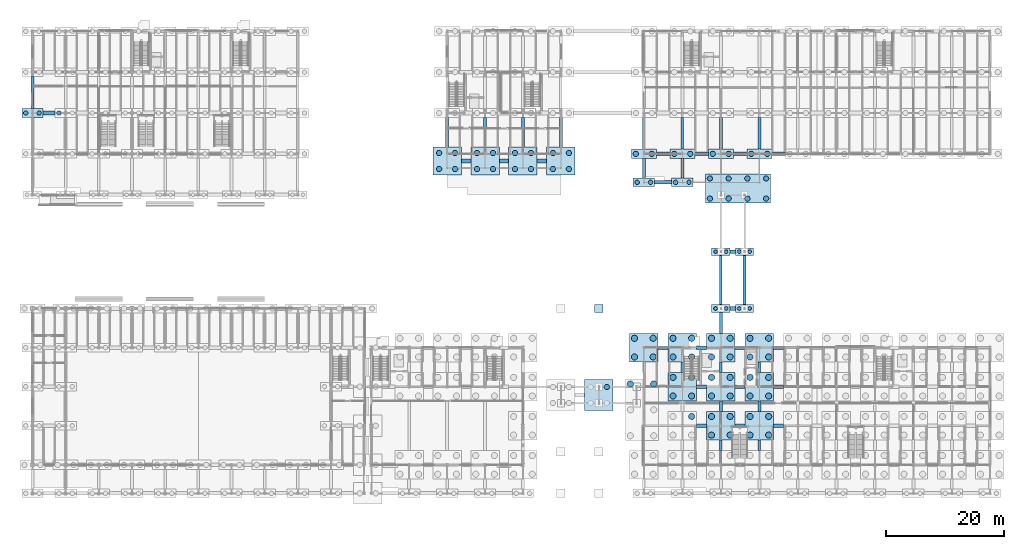
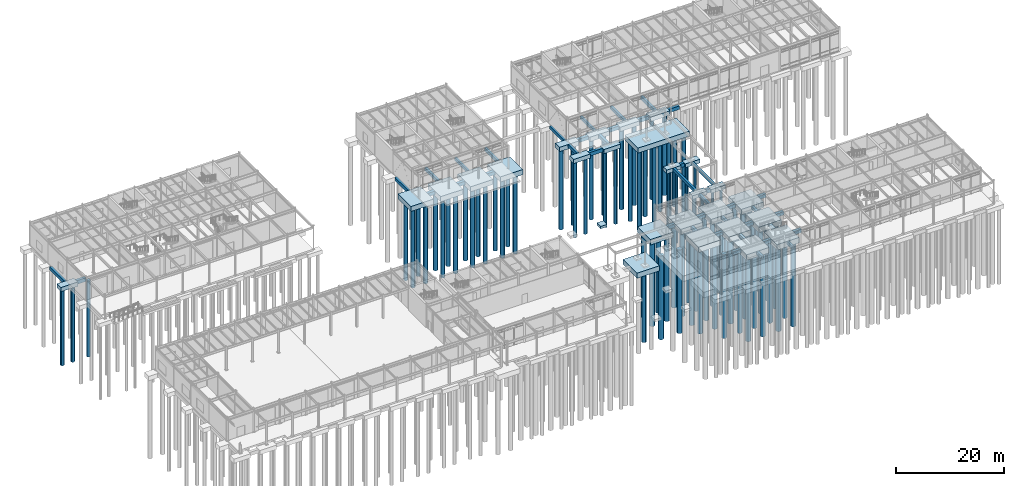
# One storey, part 4 of 82: 87 piles, 69 footings.
"""IFC4 building model written with IfcOpenShell, lengths in metres."""

from ifc_helpers import new_model, si_unit, direction, frame, origin, origin_2d, place, context, subcontext, project, spatial, rectangle, circle, extrude, material, material_profile, profile_set, type_object, element, save


model = new_model("IFC4")

# Units and contexts
model_context = context("Model", 3, precision=1e-05, world=origin(), true_north=direction((0.0, 1.0)))
body_context = subcontext(model_context, "Body", "Model", "MODEL_VIEW")
ifc_project = project(units=[si_unit("LENGTHUNIT", "METRE"), si_unit("AREAUNIT", "SQUARE_METRE"), si_unit("VOLUMEUNIT", "CUBIC_METRE"), si_unit("PLANEANGLEUNIT", "RADIAN"), si_unit("MASSUNIT", "GRAM", prefix="KILO")], contexts=[model_context])

# Site, building, storey
site_placement = place(None, origin())
site = spatial("IfcSite", under=ifc_project, at=site_placement, CompositionType="ELEMENT")
building_placement = place(site_placement, origin())
building = spatial("IfcBuilding", under=site, at=building_placement, Name="Trelmorton Wharf Fire Station", CompositionType="ELEMENT")
storey_placement = place(building_placement, origin())
storey = spatial("IfcBuildingStorey", under=building, at=storey_placement, Name="L00", CompositionType="ELEMENT", Elevation=0.0)

# Footings
ifc_material_1 = material(Name="Concrete 40 MPa", Category="concrete")
ifc_material_profile_1 = material_profile(ifc_material_1, rectangle(XDim=0.449951171875, YDim=0.64990234375, at=origin_2d()), Name="RC450x650")
ifc_profile_set_1 = profile_set([ifc_material_profile_1], Name="Concrete 40 MPa")
footing_type_1 = type_object("IfcFootingType", Name="GB_450x650", PredefinedType="FOOTING_BEAM", material=ifc_profile_set_1)
footing_1_placement = place(storey_placement, frame((83.60009765625, 61.5, -0.675048828125), z_axis=(0.0, 1.0, 0.0), x_axis=(-1.0, 0.0, 0.0)))
element("IfcFooting", 1, at=footing_1_placement, inside=storey, type_object=footing_type_1, Name="FT-GB-287", PredefinedType="FOOTING_BEAM", context=body_context, shape_type="SweptSolid", body=[
    extrude(rectangle(XDim=0.449951171875, YDim=0.64990234375, at=origin_2d()), origin(), (0.0, 0.0, 1.0), 4.89990234375),
])
footing_2_placement = place(storey_placement, frame((104.0, 61.10009765625, -0.675048828125), z_axis=(0.0, 1.0, 0.0), x_axis=(-1.0, 0.0, 0.0)))
element("IfcFooting", 2, at=footing_2_placement, inside=storey, type_object=footing_type_1, Name="FT-GB-295", PredefinedType="FOOTING_BEAM", context=body_context, shape_type="SweptSolid", body=[
    extrude(rectangle(XDim=0.449951171875, YDim=0.64990234375, at=origin_2d()), origin(), (0.0, 0.0, 1.0), 5.2998046875),
])
footing_3_placement = place(storey_placement, frame((110.5, 23.39990234375, -0.675048828125), z_axis=(0.0, 1.0, 0.0), x_axis=(-1.0, 0.0, 0.0)))
element("IfcFooting", 3, at=footing_3_placement, inside=storey, type_object=footing_type_1, Name="FT-GB-301", PredefinedType="FOOTING_BEAM", context=body_context, shape_type="SweptSolid", body=[
    extrude(rectangle(XDim=0.449951171875, YDim=0.64990234375, at=origin_2d()), origin(), (0.0, 0.0, 1.0), 1.800048828125),
])
footing_4_placement = place(storey_placement, frame((110.5, 61.10009765625, -0.675048828125), z_axis=(0.0, 1.0, 0.0), x_axis=(-1.0, 0.0, 0.0)))
element("IfcFooting", 4, at=footing_4_placement, inside=storey, type_object=footing_type_1, Name="FT-GB-303", PredefinedType="FOOTING_BEAM", context=body_context, shape_type="SweptSolid", body=[
    extrude(rectangle(XDim=0.449951171875, YDim=0.64990234375, at=origin_2d()), origin(), (0.0, 0.0, 1.0), 5.2998046875),
])
for number, where, z_axis, x_axis, name in (
    (5, (117.0, 10.199951171875, -0.675048828125), (0.0, 1.0, 0.0), (-1.0, 0.0, 0.0), "FT-GB-307"),
    (6, (117.0, 23.39990234375, -0.675048828125), (0.0, 1.0, 0.0), (-1.0, 0.0, 0.0), "FT-GB-309"),
):
    element("IfcFooting", number, at=place(storey_placement, frame(where, z_axis=z_axis, x_axis=x_axis)), inside=storey, type_object=footing_type_1, Name=name, PredefinedType="FOOTING_BEAM", context=body_context, shape_type="SweptSolid", body=[
        extrude(rectangle(XDim=0.449951171875, YDim=0.64990234375, at=origin_2d()), origin(), (0.0, 0.0, 1.0), 1.800048828125),
    ])
for number, where, z_axis, x_axis, name in (
    (7, (117.0, 34.85009765625, -0.675048828125), (0.0, 1.0, 0.0), (-1.0, 0.0, 0.0), "FT-GB-311"),
    (8, (121.0, 34.85009765625, -0.675048828125), (0.0, 1.0, 0.0), (-1.0, 0.0, 0.0), "FT-GB-315"),
):
    element("IfcFooting", number, at=place(storey_placement, frame(where, z_axis=z_axis, x_axis=x_axis)), inside=storey, type_object=footing_type_1, Name=name, PredefinedType="FOOTING_BEAM", context=body_context, shape_type="SweptSolid", body=[
        extrude(rectangle(XDim=0.449951171875, YDim=0.64990234375, at=origin_2d()), origin(), (0.0, 0.0, 1.0), 8.2998046875),
    ])
for number, where, z_axis, x_axis, name in (
    (9, (123.5, 10.199951171875, -0.675048828125), (0.0, 1.0, 0.0), (-1.0, 0.0, 0.0), "FT-GB-317"),
    (10, (123.5, 23.39990234375, -0.675048828125), (0.0, 1.0, 0.0), (-1.0, 0.0, 0.0), "FT-GB-319"),
):
    element("IfcFooting", number, at=place(storey_placement, frame(where, z_axis=z_axis, x_axis=x_axis)), inside=storey, type_object=footing_type_1, Name=name, PredefinedType="FOOTING_BEAM", context=body_context, shape_type="SweptSolid", body=[
        extrude(rectangle(XDim=0.449951171875, YDim=0.64990234375, at=origin_2d()), origin(), (0.0, 0.0, 1.0), 1.800048828125),
    ])
ifc_material_profile_2 = material_profile(ifc_material_1, rectangle(XDim=0.5, YDim=0.699951171875, at=origin_2d()), Name="RC500x700")
ifc_profile_set_2 = profile_set([ifc_material_profile_2], Name="Concrete 40 MPa")
footing_type_2 = type_object("IfcFootingType", Name="GB_500x700", PredefinedType="FOOTING_BEAM", material=ifc_profile_set_2)
footing_5_placement = place(storey_placement, frame((0.800048828125, 67.925048828125, -0.699951171875), z_axis=(0.0, 1.0, 0.0), x_axis=(-1.0, 0.0, 0.0)))
element("IfcFooting", 11, at=footing_5_placement, inside=storey, type_object=footing_type_2, Name="FT-GB-206", PredefinedType="FOOTING_BEAM", context=body_context, shape_type="SweptSolid", body=[
    extrude(rectangle(XDim=0.5, YDim=0.699951171875, at=origin_2d()), origin(), (0.0, 0.0, 1.0), 5.449951171875),
])
for number, where, z_axis, x_axis, name in (
    (12, (70.800048828125, 61.5, -0.699951171875), (0.0, 1.0, 0.0), (-1.0, 0.0, 0.0), "FT-GB-274"),
    (13, (77.199951171875, 61.5, -0.699951171875), (0.0, 1.0, 0.0), (-1.0, 0.0, 0.0), "FT-GB-280"),
    (14, (90.0, 61.5, -0.699951171875), (0.0, 1.0, 0.0), (-1.0, 0.0, 0.0), "FT-GB-290"),
):
    element("IfcFooting", number, at=place(storey_placement, frame(where, z_axis=z_axis, x_axis=x_axis)), inside=storey, type_object=footing_type_2, Name=name, PredefinedType="FOOTING_BEAM", context=body_context, shape_type="SweptSolid", body=[
        extrude(rectangle(XDim=0.5, YDim=0.699951171875, at=origin_2d()), origin(), (0.0, 0.0, 1.0), 4.89990234375),
    ])
for number, where, z_axis, x_axis, name in (
    (15, (104.0, 56.22509765625, -0.699951171875), (0.0, 1.0, 0.0), (-1.0, 0.0, 0.0), "FT-GB-294"),
    (16, (110.5, 56.22509765625, -0.699951171875), (0.0, 1.0, 0.0), (-1.0, 0.0, 0.0), "FT-GB-302"),
):
    element("IfcFooting", number, at=place(storey_placement, frame(where, z_axis=z_axis, x_axis=x_axis)), inside=storey, type_object=footing_type_2, Name=name, PredefinedType="FOOTING_BEAM", context=body_context, shape_type="SweptSolid", body=[
        extrude(rectangle(XDim=0.5, YDim=0.699951171875, at=origin_2d()), origin(), (0.0, 0.0, 1.0), 3.27490234375),
    ])
footing_6_placement = place(storey_placement, frame((117.0, 16.800048828125, -0.699951171875), z_axis=(0.0, 1.0, 0.0), x_axis=(-1.0, 0.0, 0.0)))
element("IfcFooting", 17, at=footing_6_placement, inside=storey, type_object=footing_type_2, Name="FT-GB-308", PredefinedType="FOOTING_BEAM", context=body_context, shape_type="SweptSolid", body=[
    extrude(rectangle(XDim=0.5, YDim=0.699951171875, at=origin_2d()), origin(), (0.0, 0.0, 1.0), 1.800048828125),
])
footing_7_placement = place(storey_placement, frame((117.0, 30.0, -0.699951171875), z_axis=(0.0, 1.0, 0.0), x_axis=(-1.0, 0.0, 0.0)))
element("IfcFooting", 18, at=footing_7_placement, inside=storey, type_object=footing_type_2, Name="FT-GB-310", PredefinedType="FOOTING_BEAM", context=body_context, shape_type="SweptSolid", body=[
    extrude(rectangle(XDim=0.5, YDim=0.699951171875, at=origin_2d()), origin(), (0.0, 0.0, 1.0), 3.550048828125),
])
footing_8_placement = place(storey_placement, frame((117.0, 61.10009765625, -0.699951171875), z_axis=(0.0, 1.0, 0.0), x_axis=(-1.0, 0.0, 0.0)))
element("IfcFooting", 19, at=footing_8_placement, inside=storey, type_object=footing_type_2, Name="FT-GB-312", PredefinedType="FOOTING_BEAM", context=body_context, shape_type="SweptSolid", body=[
    extrude(rectangle(XDim=0.5, YDim=0.699951171875, at=origin_2d()), origin(), (0.0, 0.0, 1.0), 5.2998046875),
])
footing_9_placement = place(storey_placement, frame((123.5, 16.800048828125, -0.699951171875), z_axis=(0.0, 1.0, 0.0), x_axis=(-1.0, 0.0, 0.0)))
element("IfcFooting", 20, at=footing_9_placement, inside=storey, type_object=footing_type_2, Name="FT-GB-318", PredefinedType="FOOTING_BEAM", context=body_context, shape_type="SweptSolid", body=[
    extrude(rectangle(XDim=0.5, YDim=0.699951171875, at=origin_2d()), origin(), (0.0, 0.0, 1.0), 1.800048828125),
])
footing_10_placement = place(storey_placement, frame((123.5, 61.10009765625, -0.699951171875), z_axis=(0.0, 1.0, 0.0), x_axis=(-1.0, 0.0, 0.0)))
element("IfcFooting", 21, at=footing_10_placement, inside=storey, type_object=footing_type_2, Name="FT-GB-320", PredefinedType="FOOTING_BEAM", context=body_context, shape_type="SweptSolid", body=[
    extrude(rectangle(XDim=0.5, YDim=0.699951171875, at=origin_2d()), origin(), (0.0, 0.0, 1.0), 5.2998046875),
])
ifc_material_profile_3 = material_profile(ifc_material_1, rectangle(XDim=0.60009765625, YDim=0.800048828125, at=origin_2d()), Name="RC600x800")
ifc_profile_set_3 = profile_set([ifc_material_profile_3], Name="Concrete 40 MPa")
footing_type_3 = type_object("IfcFootingType", Name="GB_600x800", PredefinedType="FOOTING_BEAM", material=ifc_profile_set_3)
for number, where, z_axis, x_axis, name in (
    (22, (112.89990234375, 14.39990234375, -0.75), (1.0, 0.0, 0.0), (0.0, 1.0, 0.0), "FT-GB-049"),
    (23, (119.39990234375, 14.39990234375, -0.75), (1.0, 0.0, 0.0), (0.0, 1.0, 0.0), "FT-GB-050"),
    (24, (125.89990234375, 14.39990234375, -0.75), (1.0, 0.0, 0.0), (0.0, 1.0, 0.0), "FT-GB-051"),
    (25, (112.89990234375, 21.0, -0.75), (1.0, 0.0, 0.0), (0.0, 1.0, 0.0), "FT-GB-064"),
    (26, (119.39990234375, 21.0, -0.75), (1.0, 0.0, 0.0), (0.0, 1.0, 0.0), "FT-GB-065"),
    (27, (125.89990234375, 21.0, -0.75), (1.0, 0.0, 0.0), (0.0, 1.0, 0.0), "FT-GB-066"),
    (28, (106.39990234375, 27.60009765625, -0.75), (1.0, 0.0, 0.0), (0.0, 1.0, 0.0), "FT-GB-086"),
    (29, (112.89990234375, 27.60009765625, -0.75), (1.0, 0.0, 0.0), (0.0, 1.0, 0.0), "FT-GB-087"),
    (30, (119.39990234375, 27.60009765625, -0.75), (1.0, 0.0, 0.0), (0.0, 1.0, 0.0), "FT-GB-088"),
    (31, (125.89990234375, 27.60009765625, -0.75), (1.0, 0.0, 0.0), (0.0, 1.0, 0.0), "FT-GB-089"),
):
    element("IfcFooting", number, at=place(storey_placement, frame(where, z_axis=z_axis, x_axis=x_axis)), inside=storey, type_object=footing_type_3, Name=name, PredefinedType="FOOTING_BEAM", context=body_context, shape_type="SweptSolid", body=[
        extrude(rectangle(XDim=0.60009765625, YDim=0.800048828125, at=origin_2d()), origin(), (0.0, 0.0, 1.0), 1.7001953125),
    ])
for number, where, z_axis, x_axis, name in (
    (32, (118.550048828125, 34.199951171875, -0.75), (1.0, 0.0, 0.0), (0.0, 1.0, 0.0), "FT-GB-105"),
    (33, (118.550048828125, 43.800048828125, -0.75), (1.0, 0.0, 0.0), (0.0, 1.0, 0.0), "FT-GB-106"),
):
    element("IfcFooting", number, at=place(storey_placement, frame(where, z_axis=z_axis, x_axis=x_axis)), inside=storey, type_object=footing_type_3, Name=name, PredefinedType="FOOTING_BEAM", context=body_context, shape_type="SweptSolid", body=[
        extrude(rectangle(XDim=0.60009765625, YDim=0.800048828125, at=origin_2d()), origin(), (0.0, 0.0, 1.0), 0.89990234375),
    ])
footing_11_placement = place(storey_placement, frame((105.800048828125, 55.5, -0.75), z_axis=(1.0, 0.0, 0.0), x_axis=(0.0, 1.0, 0.0)))
element("IfcFooting", 34, at=footing_11_placement, inside=storey, type_object=footing_type_3, Name="FT-GB-115", PredefinedType="FOOTING_BEAM", context=body_context, shape_type="SweptSolid", body=[
    extrude(rectangle(XDim=0.60009765625, YDim=0.800048828125, at=origin_2d()), origin(), (0.0, 0.0, 1.0), 2.89990234375),
])
footing_12_placement = place(storey_placement, frame((73.199951171875, 59.10009765625, -0.75), z_axis=(1.0, 0.0, 0.0), x_axis=(0.0, 1.0, 0.0)))
element("IfcFooting", 35, at=footing_12_placement, inside=storey, type_object=footing_type_3, Name="FT-GB-116", PredefinedType="FOOTING_BEAM", context=body_context, shape_type="SweptSolid", body=[
    extrude(rectangle(XDim=0.60009765625, YDim=0.800048828125, at=origin_2d()), origin(), (0.0, 0.0, 1.0), 1.60009765625),
])
footing_13_placement = place(storey_placement, frame((79.60009765625, 59.10009765625, -0.75), z_axis=(1.0, 0.0, 0.0), x_axis=(0.0, 1.0, 0.0)))
element("IfcFooting", 36, at=footing_13_placement, inside=storey, type_object=footing_type_3, Name="FT-GB-117", PredefinedType="FOOTING_BEAM", context=body_context, shape_type="SweptSolid", body=[
    extrude(rectangle(XDim=0.60009765625, YDim=0.800048828125, at=origin_2d()), origin(), (0.0, 0.0, 1.0), 1.599853515625),
])
footing_14_placement = place(storey_placement, frame((86.0, 59.10009765625, -0.75), z_axis=(1.0, 0.0, 0.0), x_axis=(0.0, 1.0, 0.0)))
element("IfcFooting", 37, at=footing_14_placement, inside=storey, type_object=footing_type_3, Name="FT-GB-118", PredefinedType="FOOTING_BEAM", context=body_context, shape_type="SweptSolid", body=[
    extrude(rectangle(XDim=0.60009765625, YDim=0.800048828125, at=origin_2d()), origin(), (0.0, 0.0, 1.0), 1.60009765625),
])
for number, where, z_axis, x_axis, name in (
    (38, (106.10009765625, 60.300048828125, -0.75), (1.0, 0.0, 0.0), (0.0, 1.0, 0.0), "FT-GB-127"),
    (39, (112.60009765625, 60.300048828125, -0.75), (1.0, 0.0, 0.0), (0.0, 1.0, 0.0), "FT-GB-128"),
    (40, (119.10009765625, 60.300048828125, -0.75), (1.0, 0.0, 0.0), (0.0, 1.0, 0.0), "FT-GB-129"),
    (41, (125.60009765625, 60.300048828125, -0.75), (1.0, 0.0, 0.0), (0.0, 1.0, 0.0), "FT-GB-130"),
):
    element("IfcFooting", number, at=place(storey_placement, frame(where, z_axis=z_axis, x_axis=x_axis)), inside=storey, type_object=footing_type_3, Name=name, PredefinedType="FOOTING_BEAM", context=body_context, shape_type="SweptSolid", body=[
        extrude(rectangle(XDim=0.60009765625, YDim=0.800048828125, at=origin_2d()), origin(), (0.0, 0.0, 1.0), 2.2998046875),
    ])
footing_15_placement = place(storey_placement, frame((2.60009765625, 67.199951171875, -0.75), z_axis=(1.0, 0.0, 0.0), x_axis=(0.0, 1.0, 0.0)))
element("IfcFooting", 42, at=footing_15_placement, inside=storey, type_object=footing_type_3, Name="FT-GB-136", PredefinedType="FOOTING_BEAM", context=body_context, shape_type="SweptSolid", body=[
    extrude(rectangle(XDim=0.60009765625, YDim=0.800048828125, at=origin_2d()), origin(), (0.0, 0.0, 1.0), 2.0),
])
footing_type_4 = type_object("IfcFootingType", Name="PAD_1400", PredefinedType="PAD_FOOTING", material=ifc_material_1)
footing_16_placement = place(storey_placement, frame((96.39990234375, 34.199951171875, -0.89990234375), z_axis=(0.0, 0.0, 1.0), x_axis=(1.0, 0.0, 0.0)))
element("IfcFooting", 43, at=footing_16_placement, inside=storey, type_object=footing_type_4, Name="FT-PAD-FC-N-22", PredefinedType="PAD_FOOTING", context=body_context, shape_type="SweptSolid", body=[
    extrude(rectangle(XDim=1.39990234375, YDim=1.39990234375, at=origin_2d()), origin(), (0.0, 0.0, 1.0), 0.550048828125),
])
footing_type_5 = type_object("IfcFootingType", Name="PC_2P_600_W", PredefinedType="PILE_CAP", material=ifc_material_1)
for number, where, z_axis, x_axis, name in (
    (44, (117.0, 34.199951171875, -1.199951171875), (0.0, 0.0, 1.0), (1.0, 0.0, 0.0), "FT-CAP-157"),
    (45, (117.0, 43.800048828125, -1.199951171875), (0.0, 0.0, 1.0), (1.0, 0.0, 0.0), "FT-CAP-158"),
    (46, (121.0, 34.199951171875, -1.199951171875), (0.0, 0.0, 1.0), (1.0, 0.0, 0.0), "FT-CAP-164"),
    (47, (121.0, 43.800048828125, -1.199951171875), (0.0, 0.0, 1.0), (1.0, 0.0, 0.0), "FT-CAP-165"),
):
    element("IfcFooting", number, at=place(storey_placement, frame(where, z_axis=z_axis, x_axis=x_axis)), inside=storey, type_object=footing_type_5, Name=name, PredefinedType="PILE_CAP", context=body_context, shape_type="SweptSolid", body=[
        extrude(rectangle(XDim=3.10009765625, YDim=1.300048828125, at=origin_2d()), origin(), (0.0, 0.0, 1.0), 0.85009765625),
    ])
footing_type_6 = type_object("IfcFootingType", Name="PC_2P_750_W", PredefinedType="PILE_CAP", material=ifc_material_1)
for number, where, z_axis, x_axis, name in (
    (48, (0.800048828125, 67.199951171875, -1.2998046875), (0.0, 0.0, 1.0), (1.0, 0.0, 0.0), "FT-CAP-009"),
    (49, (104.0, 55.5, -1.2998046875), (0.0, 0.0, 1.0), (1.0, 0.0, 0.0), "FT-CAP-137"),
    (50, (110.5, 55.5, -1.2998046875), (0.0, 0.0, 1.0), (1.0, 0.0, 0.0), "FT-CAP-147"),
):
    element("IfcFooting", number, at=place(storey_placement, frame(where, z_axis=z_axis, x_axis=x_axis)), inside=storey, type_object=footing_type_6, Name=name, PredefinedType="PILE_CAP", context=body_context, shape_type="SweptSolid", body=[
        extrude(rectangle(XDim=3.60009765625, YDim=1.449951171875, at=origin_2d()), origin(), (0.0, 0.0, 1.0), 0.949951171875),
    ])
footing_type_7 = type_object("IfcFootingType", Name="PC_2P_900_W", PredefinedType="PILE_CAP", material=ifc_material_1)
for number, where, z_axis, x_axis, name in (
    (51, (104.0, 60.300048828125, -1.35009765625), (0.0, 0.0, 1.0), (1.0, 0.0, 0.0), "FT-CAP-138"),
    (52, (110.5, 60.300048828125, -1.35009765625), (0.0, 0.0, 1.0), (1.0, 0.0, 0.0), "FT-CAP-148"),
    (53, (117.0, 60.300048828125, -1.35009765625), (0.0, 0.0, 1.0), (1.0, 0.0, 0.0), "FT-CAP-160"),
    (54, (123.5, 60.300048828125, -1.35009765625), (0.0, 0.0, 1.0), (1.0, 0.0, 0.0), "FT-CAP-171"),
):
    element("IfcFooting", number, at=place(storey_placement, frame(where, z_axis=z_axis, x_axis=x_axis)), inside=storey, type_object=footing_type_7, Name=name, PredefinedType="PILE_CAP", context=body_context, shape_type="SweptSolid", body=[
        extrude(rectangle(XDim=4.199951171875, YDim=1.60009765625, at=origin_2d()), origin(), (0.0, 0.0, 1.0), 1.0),
    ])
footing_type_8 = type_object("IfcFootingType", Name="PC_4P_1050_W", PredefinedType="PILE_CAP", material=ifc_material_1)
for number, where, z_axis, x_axis, name in (
    (55, (104.0, 27.60009765625, -1.60009765625), (0.0, 0.0, 1.0), (1.0, 0.0, 0.0), "FT-CAP-136"),
    (56, (110.5, 21.0, -1.60009765625), (0.0, 0.0, 1.0), (1.0, 0.0, 0.0), "FT-CAP-145"),
    (57, (110.5, 27.60009765625, -1.60009765625), (0.0, 0.0, 1.0), (1.0, 0.0, 0.0), "FT-CAP-146"),
    (58, (117.0, 14.39990234375, -1.60009765625), (0.0, 0.0, 1.0), (1.0, 0.0, 0.0), "FT-CAP-154"),
    (59, (117.0, 21.0, -1.60009765625), (0.0, 0.0, 1.0), (1.0, 0.0, 0.0), "FT-CAP-155"),
    (60, (117.0, 27.60009765625, -1.60009765625), (0.0, 0.0, 1.0), (1.0, 0.0, 0.0), "FT-CAP-156"),
    (61, (123.5, 14.39990234375, -1.60009765625), (0.0, 0.0, 1.0), (1.0, 0.0, 0.0), "FT-CAP-168"),
    (62, (123.5, 21.0, -1.60009765625), (0.0, 0.0, 1.0), (1.0, 0.0, 0.0), "FT-CAP-169"),
    (63, (123.5, 27.60009765625, -1.60009765625), (0.0, 0.0, 1.0), (1.0, 0.0, 0.0), "FT-CAP-170"),
):
    element("IfcFooting", number, at=place(storey_placement, frame(where, z_axis=z_axis, x_axis=x_axis)), inside=storey, type_object=footing_type_8, Name=name, PredefinedType="PILE_CAP", context=body_context, shape_type="SweptSolid", body=[
        extrude(rectangle(XDim=4.800048828125, YDim=4.800048828125, at=origin_2d()), origin(), (0.0, 0.0, 1.0), 1.25),
    ])
footing_type_9 = type_object("IfcFootingType", Name="PC_COMB_1100x490", PredefinedType="PILE_CAP", material=ifc_material_1)
footing_17_placement = place(storey_placement, frame((119.89990234375, 54.449951171875, -1.5), z_axis=(0.0, 0.0, 1.0), x_axis=(1.0, 0.0, 0.0)))
element("IfcFooting", 64, at=footing_17_placement, inside=storey, type_object=footing_type_9, Name="FT-CAP-159", PredefinedType="PILE_CAP", context=body_context, shape_type="SweptSolid", body=[
    extrude(rectangle(XDim=11.0, YDim=4.89990234375, at=origin_2d()), origin(), (0.0, 0.0, 1.0), 1.14990234375),
])
footing_type_10 = type_object("IfcFootingType", Name="PC_SJ_480x480", PredefinedType="PILE_CAP", material=ifc_material_1)
for number, where, z_axis, x_axis, name in (
    (65, (70.800048828125, 59.10009765625, -1.5), (0.0, 0.0, 1.0), (1.0, 0.0, 0.0), "FT-CAP-106"),
    (66, (77.199951171875, 59.10009765625, -1.5), (0.0, 0.0, 1.0), (1.0, 0.0, 0.0), "FT-CAP-114"),
    (67, (83.60009765625, 59.10009765625, -1.5), (0.0, 0.0, 1.0), (1.0, 0.0, 0.0), "FT-CAP-123"),
    (68, (90.0, 59.10009765625, -1.5), (0.0, 0.0, 1.0), (1.0, 0.0, 0.0), "FT-CAP-128"),
):
    element("IfcFooting", number, at=place(storey_placement, frame(where, z_axis=z_axis, x_axis=x_axis)), inside=storey, type_object=footing_type_10, Name=name, PredefinedType="PILE_CAP", context=body_context, shape_type="SweptSolid", body=[
        extrude(rectangle(XDim=4.800048828125, YDim=4.800048828125, at=origin_2d()), origin(), (0.0, 0.0, 1.0), 1.14990234375),
    ])
footing_type_11 = type_object("IfcFootingType", Name="PC_SJ_480x520", PredefinedType="PILE_CAP", material=ifc_material_1)
footing_18_placement = place(storey_placement, frame((96.39990234375, 19.60009765625, -1.5), z_axis=(0.0, 0.0, 1.0), x_axis=(1.0, 0.0, 0.0)))
element("IfcFooting", 69, at=footing_18_placement, inside=storey, type_object=footing_type_11, Name="FT-CAP-132", PredefinedType="PILE_CAP", context=body_context, shape_type="SweptSolid", body=[
    extrude(rectangle(XDim=4.800048828125, YDim=5.199951171875, at=origin_2d()), origin(), (0.0, 0.0, 1.0), 1.14990234375),
])

# Piles
ifc_material_2 = material(Name="Concrete 45 MPa", Category="concrete")
ifc_material_profile_4 = material_profile(ifc_material_2, circle(Radius=0.52490234375, at=origin_2d()), Name="PILE-D1050")
ifc_profile_set_4 = profile_set([ifc_material_profile_4], Name="Concrete 45 MPa")
pile_type_1 = type_object("IfcPileType", Name="PILE_D1050", PredefinedType="BORED", material=ifc_profile_set_4)
for number, where, z_axis, x_axis, name in (
    (70, (101.72509765625, 21.47509765625, -1.5), (0.0, 0.0, -1.0), (1.0, 0.0, 0.0), "PL-0305"),
    (71, (105.675048828125, 21.47509765625, -1.5), (0.0, 0.0, -1.0), (1.0, 0.0, 0.0), "PL-0308"),
    (72, (102.425048828125, 26.02490234375, -1.5), (0.0, 0.0, -1.0), (1.0, 0.0, 0.0), "PL-0315"),
    (73, (105.574951171875, 26.02490234375, -1.5), (0.0, 0.0, -1.0), (1.0, 0.0, 0.0), "PL-0316"),
    (74, (102.425048828125, 29.175048828125, -1.5), (0.0, 0.0, -1.0), (1.0, 0.0, 0.0), "PL-0317"),
    (75, (105.574951171875, 29.175048828125, -1.5), (0.0, 0.0, -1.0), (1.0, 0.0, 0.0), "PL-0318"),
    (76, (112.074951171875, 15.97509765625, -1.5), (0.0, 0.0, -1.0), (1.0, 0.0, 0.0), "PL-0338"),
    (77, (108.925048828125, 19.425048828125, -1.5), (0.0, 0.0, -1.0), (1.0, 0.0, 0.0), "PL-0339"),
    (78, (112.074951171875, 19.425048828125, -1.5), (0.0, 0.0, -1.0), (1.0, 0.0, 0.0), "PL-0340"),
    (79, (108.925048828125, 22.574951171875, -1.5), (0.0, 0.0, -1.0), (1.0, 0.0, 0.0), "PL-0341"),
    (80, (112.074951171875, 22.574951171875, -1.5), (0.0, 0.0, -1.0), (1.0, 0.0, 0.0), "PL-0342"),
    (81, (108.925048828125, 26.02490234375, -1.5), (0.0, 0.0, -1.0), (1.0, 0.0, 0.0), "PL-0343"),
    (82, (112.074951171875, 26.02490234375, -1.5), (0.0, 0.0, -1.0), (1.0, 0.0, 0.0), "PL-0344"),
    (83, (108.925048828125, 29.175048828125, -1.5), (0.0, 0.0, -1.0), (1.0, 0.0, 0.0), "PL-0345"),
    (84, (112.074951171875, 29.175048828125, -1.5), (0.0, 0.0, -1.0), (1.0, 0.0, 0.0), "PL-0346"),
    (85, (115.425048828125, 12.824951171875, -1.5), (0.0, 0.0, -1.0), (1.0, 0.0, 0.0), "PL-0363"),
    (86, (118.574951171875, 12.824951171875, -1.5), (0.0, 0.0, -1.0), (1.0, 0.0, 0.0), "PL-0364"),
    (87, (115.425048828125, 15.97509765625, -1.5), (0.0, 0.0, -1.0), (1.0, 0.0, 0.0), "PL-0365"),
    (88, (118.574951171875, 15.97509765625, -1.5), (0.0, 0.0, -1.0), (1.0, 0.0, 0.0), "PL-0366"),
    (89, (115.425048828125, 19.425048828125, -1.5), (0.0, 0.0, -1.0), (1.0, 0.0, 0.0), "PL-0367"),
    (90, (118.574951171875, 19.425048828125, -1.5), (0.0, 0.0, -1.0), (1.0, 0.0, 0.0), "PL-0368"),
    (91, (115.425048828125, 22.574951171875, -1.5), (0.0, 0.0, -1.0), (1.0, 0.0, 0.0), "PL-0369"),
    (92, (118.574951171875, 22.574951171875, -1.5), (0.0, 0.0, -1.0), (1.0, 0.0, 0.0), "PL-0370"),
    (93, (115.425048828125, 26.02490234375, -1.5), (0.0, 0.0, -1.0), (1.0, 0.0, 0.0), "PL-0371"),
    (94, (118.574951171875, 26.02490234375, -1.5), (0.0, 0.0, -1.0), (1.0, 0.0, 0.0), "PL-0372"),
    (95, (115.425048828125, 29.175048828125, -1.5), (0.0, 0.0, -1.0), (1.0, 0.0, 0.0), "PL-0373"),
    (96, (118.574951171875, 29.175048828125, -1.5), (0.0, 0.0, -1.0), (1.0, 0.0, 0.0), "PL-0374"),
    (97, (121.925048828125, 12.824951171875, -1.5), (0.0, 0.0, -1.0), (1.0, 0.0, 0.0), "PL-0405"),
    (98, (125.074951171875, 12.824951171875, -1.5), (0.0, 0.0, -1.0), (1.0, 0.0, 0.0), "PL-0406"),
    (99, (121.925048828125, 15.97509765625, -1.5), (0.0, 0.0, -1.0), (1.0, 0.0, 0.0), "PL-0407"),
    (100, (125.074951171875, 15.97509765625, -1.5), (0.0, 0.0, -1.0), (1.0, 0.0, 0.0), "PL-0408"),
    (101, (121.925048828125, 19.425048828125, -1.5), (0.0, 0.0, -1.0), (1.0, 0.0, 0.0), "PL-0409"),
    (102, (125.074951171875, 19.425048828125, -1.5), (0.0, 0.0, -1.0), (1.0, 0.0, 0.0), "PL-0410"),
    (103, (121.925048828125, 22.574951171875, -1.5), (0.0, 0.0, -1.0), (1.0, 0.0, 0.0), "PL-0411"),
    (104, (125.074951171875, 22.574951171875, -1.5), (0.0, 0.0, -1.0), (1.0, 0.0, 0.0), "PL-0412"),
    (105, (121.925048828125, 26.02490234375, -1.5), (0.0, 0.0, -1.0), (1.0, 0.0, 0.0), "PL-0413"),
    (106, (125.074951171875, 26.02490234375, -1.5), (0.0, 0.0, -1.0), (1.0, 0.0, 0.0), "PL-0414"),
    (107, (121.925048828125, 29.175048828125, -1.5), (0.0, 0.0, -1.0), (1.0, 0.0, 0.0), "PL-0415"),
    (108, (125.074951171875, 29.175048828125, -1.5), (0.0, 0.0, -1.0), (1.0, 0.0, 0.0), "PL-0416"),
):
    element("IfcPile", number, at=place(storey_placement, frame(where, z_axis=z_axis, x_axis=x_axis)), inside=storey, type_object=pile_type_1, Name=name, PredefinedType="BORED", context=body_context, shape_type="SweptSolid", body=[
        extrude(circle(Radius=0.52490234375, at=origin_2d()), origin(), (0.0, 0.0, 1.0), 19.0),
    ])
ifc_material_profile_5 = material_profile(ifc_material_2, circle(Radius=0.300048828125, at=origin_2d()), Name="PILE-D600")
ifc_profile_set_5 = profile_set([ifc_material_profile_5], Name="Concrete 45 MPa")
pile_type_2 = type_object("IfcPileType", Name="PILE_D600", PredefinedType="BORED", material=ifc_profile_set_5)
for number, where, z_axis, x_axis, name in (
    (109, (116.10009765625, 34.199951171875, -1.10009765625), (0.0, 0.0, -1.0), (1.0, 0.0, 0.0), "PL-0375"),
    (110, (117.89990234375, 34.199951171875, -1.10009765625), (0.0, 0.0, -1.0), (1.0, 0.0, 0.0), "PL-0376"),
    (111, (116.10009765625, 43.800048828125, -1.10009765625), (0.0, 0.0, -1.0), (1.0, 0.0, 0.0), "PL-0377"),
    (112, (117.89990234375, 43.800048828125, -1.10009765625), (0.0, 0.0, -1.0), (1.0, 0.0, 0.0), "PL-0378"),
    (113, (120.10009765625, 34.199951171875, -1.10009765625), (0.0, 0.0, -1.0), (1.0, 0.0, 0.0), "PL-0395"),
    (114, (121.89990234375, 34.199951171875, -1.10009765625), (0.0, 0.0, -1.0), (1.0, 0.0, 0.0), "PL-0396"),
    (115, (120.10009765625, 43.800048828125, -1.10009765625), (0.0, 0.0, -1.0), (1.0, 0.0, 0.0), "PL-0397"),
    (116, (121.89990234375, 43.800048828125, -1.10009765625), (0.0, 0.0, -1.0), (1.0, 0.0, 0.0), "PL-0398"),
):
    element("IfcPile", number, at=place(storey_placement, frame(where, z_axis=z_axis, x_axis=x_axis)), inside=storey, type_object=pile_type_2, Name=name, PredefinedType="BORED", context=body_context, shape_type="SweptSolid", body=[
        extrude(circle(Radius=0.300048828125, at=origin_2d()), origin(), (0.0, 0.0, 1.0), 16.89990234375),
    ])
ifc_material_profile_6 = material_profile(ifc_material_2, circle(Radius=0.375, at=origin_2d()), Name="PILE-D750")
ifc_profile_set_6 = profile_set([ifc_material_profile_6], Name="Concrete 45 MPa")
pile_type_3 = type_object("IfcPileType", Name="PILE_D750", PredefinedType="BORED", material=ifc_profile_set_6)
for number, where, z_axis, x_axis, name in (
    (117, (-0.324951171875, 67.199951171875, -1.199951171875), (0.0, 0.0, -1.0), (1.0, 0.0, 0.0), "PL-0017"),
    (118, (1.925048828125, 67.199951171875, -1.199951171875), (0.0, 0.0, -1.0), (1.0, 0.0, 0.0), "PL-0018"),
    (119, (5.27490234375, 67.199951171875, -1.199951171875), (0.0, 0.0, -1.0), (1.0, 0.0, 0.0), "PL-0039"),
    (120, (102.875, 55.5, -1.199951171875), (0.0, 0.0, -1.0), (1.0, 0.0, 0.0), "PL-0319"),
    (121, (105.125, 55.5, -1.199951171875), (0.0, 0.0, -1.0), (1.0, 0.0, 0.0), "PL-0320"),
    (122, (109.375, 55.5, -1.199951171875), (0.0, 0.0, -1.0), (1.0, 0.0, 0.0), "PL-0347"),
    (123, (111.625, 55.5, -1.199951171875), (0.0, 0.0, -1.0), (1.0, 0.0, 0.0), "PL-0348"),
):
    element("IfcPile", number, at=place(storey_placement, frame(where, z_axis=z_axis, x_axis=x_axis)), inside=storey, type_object=pile_type_3, Name=name, PredefinedType="BORED", context=body_context, shape_type="SweptSolid", body=[
        extrude(circle(Radius=0.375, at=origin_2d()), origin(), (0.0, 0.0, 1.0), 17.300048828125),
    ])
ifc_material_profile_7 = material_profile(ifc_material_2, circle(Radius=0.449951171875, at=origin_2d()), Name="PILE-D900")
ifc_profile_set_7 = profile_set([ifc_material_profile_7], Name="Concrete 45 MPa")
pile_type_4 = type_object("IfcPileType", Name="PILE_D900", PredefinedType="BORED", material=ifc_profile_set_7)
for number, where, z_axis, x_axis, name in (
    (124, (69.449951171875, 57.75, -1.39990234375), (0.0, 0.0, -1.0), (1.0, 0.0, 0.0), "PL-0223"),
    (125, (72.14990234375, 57.75, -1.39990234375), (0.0, 0.0, -1.0), (1.0, 0.0, 0.0), "PL-0224"),
    (126, (69.449951171875, 60.449951171875, -1.39990234375), (0.0, 0.0, -1.0), (1.0, 0.0, 0.0), "PL-0225"),
    (127, (72.14990234375, 60.449951171875, -1.39990234375), (0.0, 0.0, -1.0), (1.0, 0.0, 0.0), "PL-0226"),
    (128, (75.85009765625, 57.75, -1.39990234375), (0.0, 0.0, -1.0), (1.0, 0.0, 0.0), "PL-0247"),
    (129, (78.550048828125, 57.75, -1.39990234375), (0.0, 0.0, -1.0), (1.0, 0.0, 0.0), "PL-0248"),
    (130, (75.85009765625, 60.449951171875, -1.39990234375), (0.0, 0.0, -1.0), (1.0, 0.0, 0.0), "PL-0249"),
    (131, (78.550048828125, 60.449951171875, -1.39990234375), (0.0, 0.0, -1.0), (1.0, 0.0, 0.0), "PL-0250"),
    (132, (82.25, 57.75, -1.39990234375), (0.0, 0.0, -1.0), (1.0, 0.0, 0.0), "PL-0275"),
    (133, (84.949951171875, 57.75, -1.39990234375), (0.0, 0.0, -1.0), (1.0, 0.0, 0.0), "PL-0276"),
    (134, (82.25, 60.449951171875, -1.39990234375), (0.0, 0.0, -1.0), (1.0, 0.0, 0.0), "PL-0277"),
    (135, (84.949951171875, 60.449951171875, -1.39990234375), (0.0, 0.0, -1.0), (1.0, 0.0, 0.0), "PL-0278"),
    (136, (88.64990234375, 57.75, -1.39990234375), (0.0, 0.0, -1.0), (1.0, 0.0, 0.0), "PL-0289"),
    (137, (91.35009765625, 57.75, -1.39990234375), (0.0, 0.0, -1.0), (1.0, 0.0, 0.0), "PL-0290"),
    (138, (88.64990234375, 60.449951171875, -1.39990234375), (0.0, 0.0, -1.0), (1.0, 0.0, 0.0), "PL-0291"),
    (139, (91.35009765625, 60.449951171875, -1.39990234375), (0.0, 0.0, -1.0), (1.0, 0.0, 0.0), "PL-0292"),
    (140, (97.75, 20.949951171875, -1.39990234375), (0.0, 0.0, -1.0), (1.0, 0.0, 0.0), "PL-0302"),
):
    element("IfcPile", number, at=place(storey_placement, frame(where, z_axis=z_axis, x_axis=x_axis)), inside=storey, type_object=pile_type_4, Name=name, PredefinedType="BORED", context=body_context, shape_type="SweptSolid", body=[
        extrude(circle(Radius=0.449951171875, at=origin_2d()), origin(), (0.0, 0.0, 1.0), 18.10009765625),
    ])
for number, where, z_axis, x_axis, name in (
    (141, (102.64990234375, 60.300048828125, -1.25), (0.0, 0.0, -1.0), (1.0, 0.0, 0.0), "PL-0321"),
    (142, (105.35009765625, 60.300048828125, -1.25), (0.0, 0.0, -1.0), (1.0, 0.0, 0.0), "PL-0322"),
    (143, (109.14990234375, 60.300048828125, -1.25), (0.0, 0.0, -1.0), (1.0, 0.0, 0.0), "PL-0349"),
    (144, (111.85009765625, 60.300048828125, -1.25), (0.0, 0.0, -1.0), (1.0, 0.0, 0.0), "PL-0350"),
):
    element("IfcPile", number, at=place(storey_placement, frame(where, z_axis=z_axis, x_axis=x_axis)), inside=storey, type_object=pile_type_4, Name=name, PredefinedType="BORED", context=body_context, shape_type="SweptSolid", body=[
        extrude(circle(Radius=0.449951171875, at=origin_2d()), origin(), (0.0, 0.0, 1.0), 18.25),
    ])
for number, where, z_axis, x_axis, name in (
    (145, (115.14990234375, 52.75, -1.39990234375), (0.0, 0.0, -1.0), (1.0, 0.0, 0.0), "PL-0379"),
    (146, (115.14990234375, 56.14990234375, -1.39990234375), (0.0, 0.0, -1.0), (1.0, 0.0, 0.0), "PL-0380"),
    (147, (118.31689453125, 52.75, -1.39990234375), (0.0, 0.0, -1.0), (1.0, 0.0, 0.0), "PL-0381"),
    (148, (118.31689453125, 56.14990234375, -1.39990234375), (0.0, 0.0, -1.0), (1.0, 0.0, 0.0), "PL-0382"),
    (149, (121.48291015625, 52.75, -1.39990234375), (0.0, 0.0, -1.0), (1.0, 0.0, 0.0), "PL-0383"),
    (150, (121.48291015625, 56.14990234375, -1.39990234375), (0.0, 0.0, -1.0), (1.0, 0.0, 0.0), "PL-0384"),
    (151, (124.64990234375, 52.75, -1.39990234375), (0.0, 0.0, -1.0), (1.0, 0.0, 0.0), "PL-0385"),
    (152, (124.64990234375, 56.14990234375, -1.39990234375), (0.0, 0.0, -1.0), (1.0, 0.0, 0.0), "PL-0386"),
):
    element("IfcPile", number, at=place(storey_placement, frame(where, z_axis=z_axis, x_axis=x_axis)), inside=storey, type_object=pile_type_4, Name=name, PredefinedType="BORED", context=body_context, shape_type="SweptSolid", body=[
        extrude(circle(Radius=0.449951171875, at=origin_2d()), origin(), (0.0, 0.0, 1.0), 18.10009765625),
    ])
for number, where, z_axis, x_axis, name in (
    (153, (115.64990234375, 60.300048828125, -1.25), (0.0, 0.0, -1.0), (1.0, 0.0, 0.0), "PL-0387"),
    (154, (118.35009765625, 60.300048828125, -1.25), (0.0, 0.0, -1.0), (1.0, 0.0, 0.0), "PL-0388"),
    (155, (122.14990234375, 60.300048828125, -1.25), (0.0, 0.0, -1.0), (1.0, 0.0, 0.0), "PL-0417"),
    (156, (124.85009765625, 60.300048828125, -1.25), (0.0, 0.0, -1.0), (1.0, 0.0, 0.0), "PL-0418"),
):
    element("IfcPile", number, at=place(storey_placement, frame(where, z_axis=z_axis, x_axis=x_axis)), inside=storey, type_object=pile_type_4, Name=name, PredefinedType="BORED", context=body_context, shape_type="SweptSolid", body=[
        extrude(circle(Radius=0.449951171875, at=origin_2d()), origin(), (0.0, 0.0, 1.0), 18.25),
    ])

save(model, "model.ifc")
